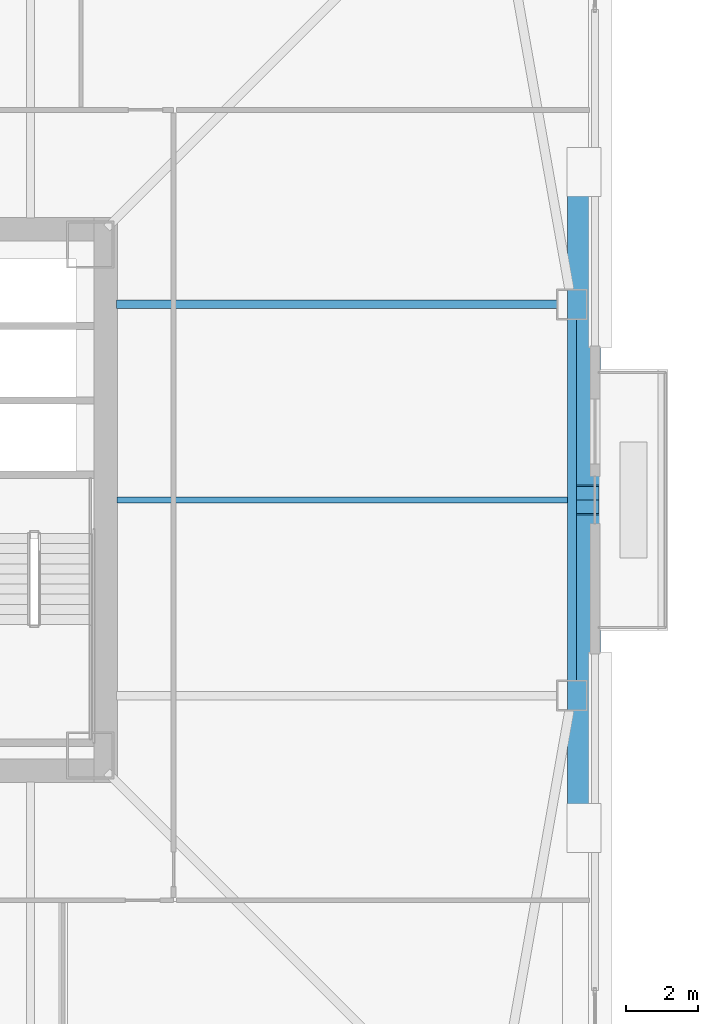
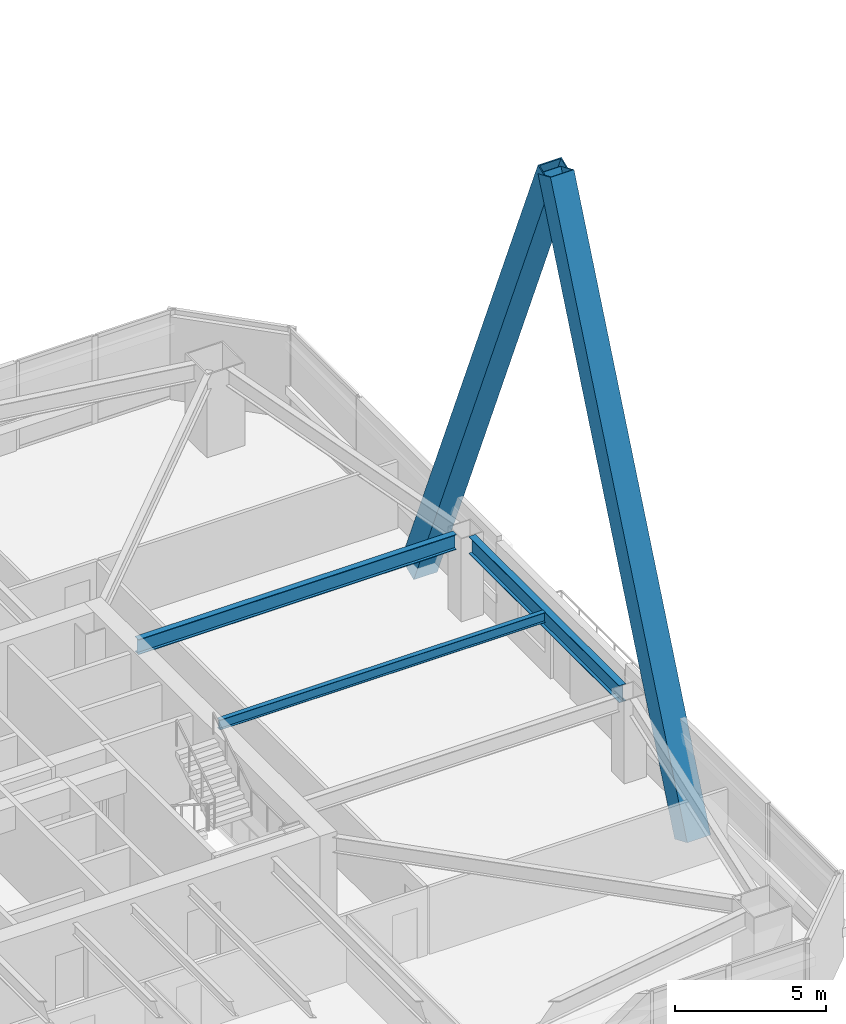
# One storey, part 14 of 54: 3 beams, 2 members.
"""IFC4 building model written with IfcOpenShell, lengths in metres."""

from ifc_helpers import new_model, si_unit, direction, frame, origin, origin_2d, place, context, subcontext, project, spatial, hollow_rectangle, i_section, extrude, material, material_profile, profile_set, type_object, element, save


model = new_model("IFC4")

# Units and contexts
model_context = context("Model", 3, precision=1e-05, world=origin(), true_north=direction((0.0, 1.0)))
body_context = subcontext(model_context, "Body", "Model", "MODEL_VIEW")
ifc_project = project(units=[si_unit("LENGTHUNIT", "METRE"), si_unit("AREAUNIT", "SQUARE_METRE"), si_unit("VOLUMEUNIT", "CUBIC_METRE"), si_unit("PLANEANGLEUNIT", "RADIAN"), si_unit("MASSUNIT", "GRAM", prefix="KILO")], contexts=[model_context])

# Site, building, storey
site_placement = place(None, origin())
site = spatial("IfcSite", under=ifc_project, at=site_placement, CompositionType="ELEMENT")
building_placement = place(site_placement, origin())
building = spatial("IfcBuilding", under=site, at=building_placement, Name="Tashvorn Skyway Center", CompositionType="ELEMENT")
storey_placement = place(building_placement, frame((0.0, 0.0, 88.5)))
storey = spatial("IfcBuildingStorey", under=building, at=storey_placement, Name="L23", CompositionType="ELEMENT", Elevation=88.5)

# Beams
ifc_material_1 = material(Name="Steel ASTM A992 Grade 50", Category="steel")
ifc_material_profile_1 = material_profile(ifc_material_1, i_section(OverallWidth=0.22998046875, OverallDepth=0.616943359375, WebThickness=0.01318359375, FlangeThickness=0.022216796875, at=origin_2d()), Name="W24X94")
ifc_profile_set_1 = profile_set([ifc_material_profile_1], Name="Steel ASTM A992 Grade 50")
beam_type_1 = type_object("IfcBeamType", Name="BM-BEAM-W24X94", PredefinedType="BEAM", material=ifc_profile_set_1)
beam_1_placement = place(storey_placement, frame((61.929931640625, 37.39990234375, 3.04150390625), z_axis=(-1.0, 0.0, 0.0), x_axis=(0.0, -1.0, 0.0)))
element("IfcBeam", 1, at=beam_1_placement, inside=storey, type_object=beam_type_1, Name="Tower 1 L23 Primary Floor Girder FC-E2", PredefinedType="BEAM", context=body_context, shape_type="SweptSolid", body=[
    extrude(i_section(OverallWidth=0.22998046875, OverallDepth=0.616943359375, WebThickness=0.01318359375, FlangeThickness=0.022216796875, at=origin_2d()), origin(), (0.0, 0.0, 1.0), 12.14990234375),
])
ifc_material_profile_2 = material_profile(ifc_material_1, i_section(OverallWidth=0.177978515625, OverallDepth=0.406005859375, WebThickness=0.0078125, FlangeThickness=0.0126953125, at=origin_2d()), Name="W16X40")
ifc_profile_set_2 = profile_set([ifc_material_profile_2], Name="Steel ASTM A992 Grade 50")
beam_type_2 = type_object("IfcBeamType", Name="BM-JOIST-W16X40", PredefinedType="JOIST", material=ifc_profile_set_2)
beam_2_placement = place(storey_placement, frame((49.7900390625, 32.0, 3.14697265625), z_axis=(1.0, 0.0, 0.0), x_axis=(0.0, 1.0, 0.0)))
element("IfcBeam", 2, at=beam_2_placement, inside=storey, type_object=beam_type_2, Name="Tower 1 L23 Secondary Composite Joist JE", PredefinedType="JOIST", context=body_context, shape_type="SweptSolid", body=[
    extrude(i_section(OverallWidth=0.177978515625, OverallDepth=0.406005859375, WebThickness=0.0078125, FlangeThickness=0.0126953125, at=origin_2d()), origin(), (0.0, 0.0, 1.0), 12.43994140625),
])
ifc_material_profile_3 = material_profile(ifc_material_1, i_section(OverallWidth=0.256103515625, OverallDepth=0.693115234375, WebThickness=0.014404296875, FlangeThickness=0.023681640625, at=origin_2d()), Name="W27X114")
ifc_profile_set_3 = profile_set([ifc_material_profile_3], Name="Steel ASTM A992 Grade 50")
beam_type_3 = type_object("IfcBeamType", Name="BM-SPANDREL-W27X114", PredefinedType="SPANDREL", material=ifc_profile_set_3)
beam_3_placement = place(storey_placement, frame((62.35009765625, 27.02001953125, 3.00341796875), z_axis=(0.0, 1.0, 0.0), x_axis=(-1.0, 0.0, 0.0)))
element("IfcBeam", 3, at=beam_3_placement, inside=storey, type_object=beam_type_3, Name="Tower 1 L23 Spandrel Beam 05", PredefinedType="SPANDREL", context=body_context, shape_type="SweptSolid", body=[
    extrude(i_section(OverallWidth=0.256103515625, OverallDepth=0.693115234375, WebThickness=0.014404296875, FlangeThickness=0.023681640625, at=origin_2d()), origin(), (0.0, 0.0, 1.0), 9.9599609375),
])

# Members
ifc_material_2 = material(Name="Steel ASTM A572 Grade 50", Category="steel")
ifc_material_profile_4 = material_profile(ifc_material_2, hollow_rectangle(XDim=0.89990234375, YDim=0.89990234375, WallThickness=0.0400390625, at=origin_2d()), Name="BOX900x900x40")
ifc_profile_set_4 = profile_set([ifc_material_profile_4], Name="Steel ASTM A572 Grade 50")
member_type = type_object("IfcMemberType", Name="MEM-MB-900", PredefinedType="BRACE", material=ifc_profile_set_4)
for number, where, z_axis, x_axis, name in (
    (4, (62.679931640625, 22.949951171875, -0.449951171875), (0.0, 0.389502874724, 0.921025249698), (-1.0, 0.0, 0.0), "Tower 1 Zone 2 E Chevron Mega-Brace L2"),
    (5, (62.679931640625, 41.050048828125, -0.449951171875), (0.0, -0.389502874724, 0.921025249698), (1.0, 0.0, 0.0), "Tower 1 Zone 2 E Chevron Mega-Brace R2"),
):
    element("IfcMember", number, at=place(storey_placement, frame(where, z_axis=z_axis, x_axis=x_axis)), inside=storey, type_object=member_type, Name=name, PredefinedType="BRACE", context=body_context, shape_type="SweptSolid", body=[
        extrude(hollow_rectangle(XDim=0.89990234375, YDim=0.89990234375, WallThickness=0.0400390625, at=origin_2d()), origin(), (0.0, 0.0, 1.0), 23.23486328125),
    ])

save(model, "model.ifc")
